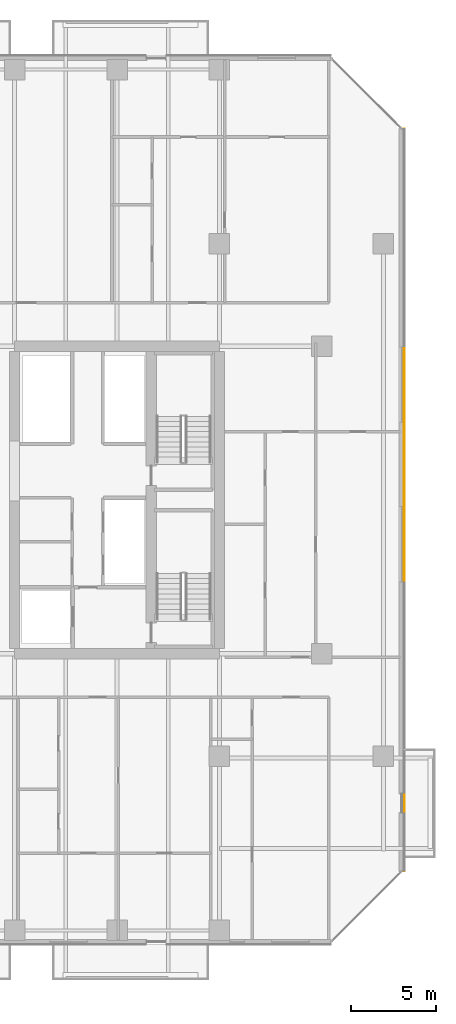
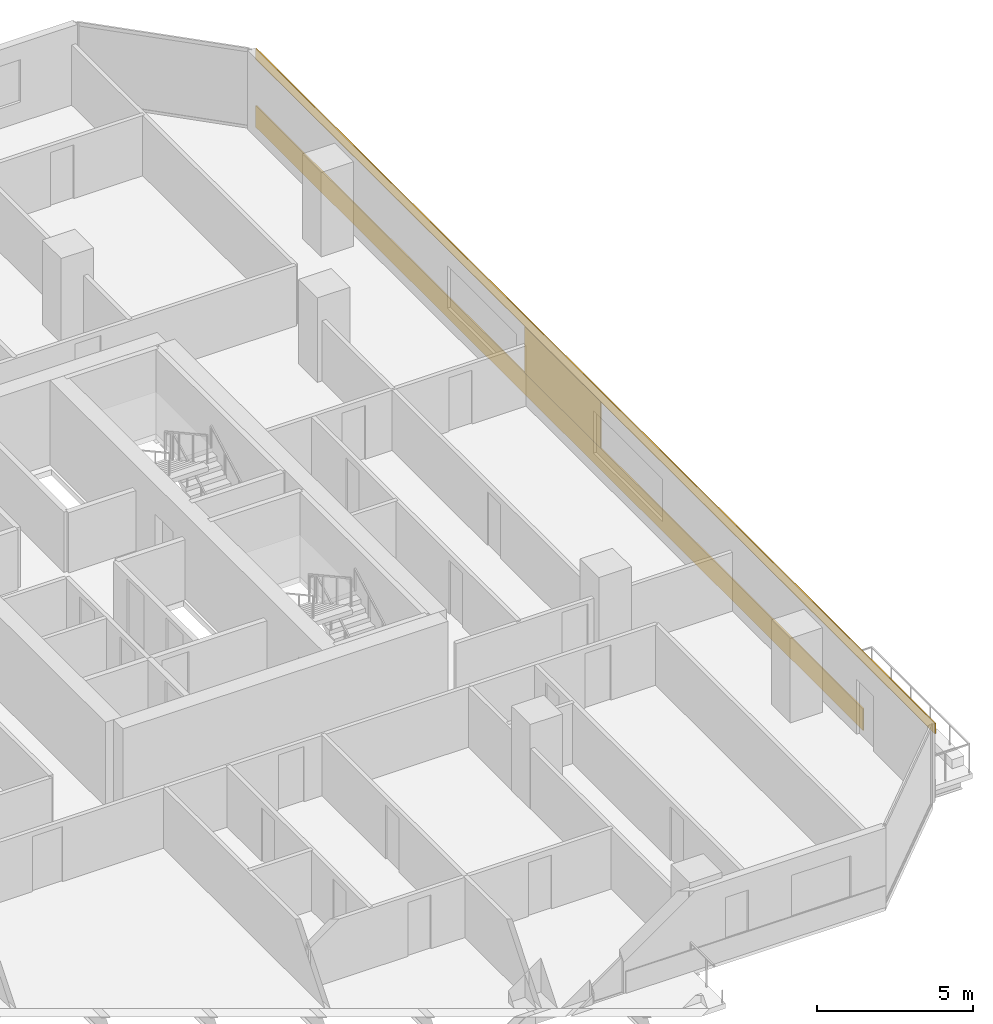
# One storey, part 32 of 33: 3 coverings.
"""IFC4 building model written with IfcOpenShell, lengths in metres."""

from ifc_helpers import new_model, si_unit, direction, frame, origin, origin_2d, place, context, subcontext, project, spatial, rectangle, extrude, material, layer, layer_set, type_object, element, save


model = new_model("IFC4")

# Units and contexts
model_context = context("Model", 3, precision=1e-05, world=origin(), true_north=direction((0.0, 1.0)))
body_context = subcontext(model_context, "Body", "Model", "MODEL_VIEW")
ifc_project = project(units=[si_unit("LENGTHUNIT", "METRE"), si_unit("AREAUNIT", "SQUARE_METRE"), si_unit("VOLUMEUNIT", "CUBIC_METRE"), si_unit("PLANEANGLEUNIT", "RADIAN"), si_unit("MASSUNIT", "GRAM", prefix="KILO")], contexts=[model_context])

# Site, building, storey
site_placement = place(None, origin())
site = spatial("IfcSite", under=ifc_project, at=site_placement, CompositionType="ELEMENT")
building_placement = place(site_placement, origin())
building = spatial("IfcBuilding", under=site, at=building_placement, Name="Tanjung Sevakor Pilgrim Tower", CompositionType="ELEMENT")
storey_placement = place(building_placement, frame((0.0, 0.0, 38.93994140625)))
storey = spatial("IfcBuildingStorey", under=building, at=storey_placement, Name="L10", CompositionType="ELEMENT", Elevation=38.93994140625)

# Coverings
ifc_material = material(Name="Reconstructed Limestone Cladding", Category="masonry")
ifc_layer = layer(ifc_material, 0.044921875)
ifc_layer_set = layer_set([ifc_layer], Name="COV-CLAD-LIMESTONE")
covering_type = type_object("IfcCoveringType", Name="COV-CLAD-LIMESTONE", PredefinedType="CLADDING", material=ifc_layer_set)
covering_1_placement = place(storey_placement, frame((100.822509765625, 35.881103515625, 0.01025390625), z_axis=(0.0, 0.0, 1.0), x_axis=(0.0, 1.0, 0.0)))
element("IfcCovering", 1, at=covering_1_placement, inside=storey, type_object=covering_type, Name="L10 Warm Limestone Sill Spandrel EW-L10-MAIN-7-2", PredefinedType="CLADDING", context=body_context, shape_type="SweptSolid", body=[
    extrude(rectangle(XDim=38.842041015625, YDim=0.044921875, at=origin_2d()), origin(), (0.0, 0.0, 1.0), 0.840087890625),
])
covering_2_placement = place(storey_placement, frame((100.822509765625, 33.60009765625, 2.66015625), z_axis=(0.0, 0.0, 1.0), x_axis=(0.0, 1.0, 0.0)))
element("IfcCovering", 2, at=covering_2_placement, inside=storey, type_object=covering_type, Name="L10 Warm Limestone Cornice Spandrel EW-L10-MAIN-7", PredefinedType="CLADDING", context=body_context, shape_type="SweptSolid", body=[
    extrude(rectangle(XDim=43.444091796875, YDim=0.044921875, at=origin_2d()), origin(), (0.0, 0.0, 1.0), 0.409912109375),
])
covering_3_placement = place(storey_placement, frame((100.822509765625, 35.679931640625, 0.85009765625), z_axis=(0.0, 0.0, 1.0), x_axis=(0.0, 1.0, 0.0)))
element("IfcCovering", 3, at=covering_3_placement, inside=storey, type_object=covering_type, Name="L10 Warm Limestone Pier Panel EW-L10-MAIN-7-2", PredefinedType="CLADDING", context=body_context, shape_type="SweptSolid", body=[
    extrude(rectangle(XDim=4.840087890625, YDim=0.044921875, at=origin_2d()), origin(), (0.0, 0.0, 1.0), 1.81005859375),
])

save(model, "model.ifc")
